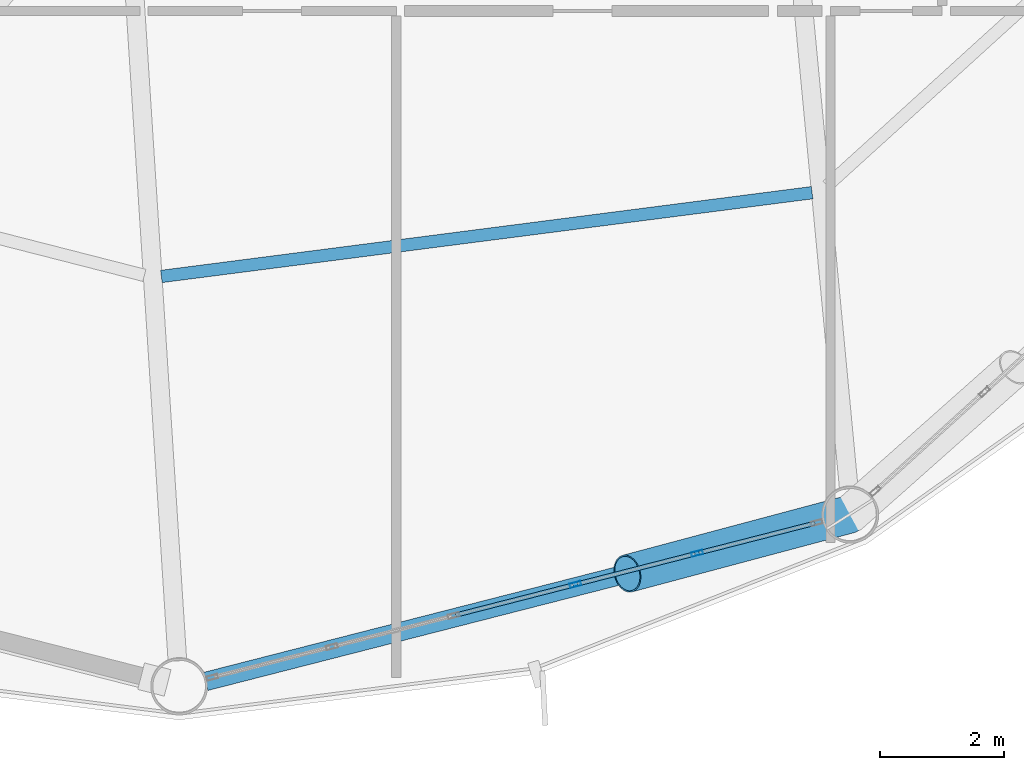
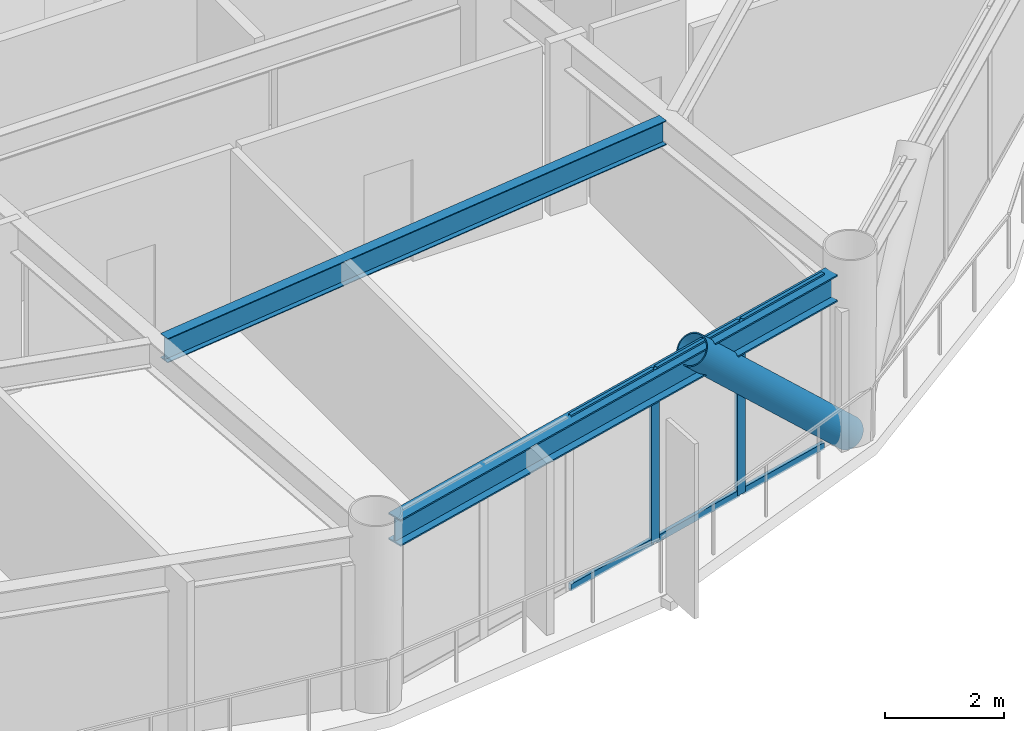
# One storey, part 6 of 25: 9 members, 2 beams, 1 element without a shape of its own.
"""IFC4 building model written with IfcOpenShell, lengths in metres."""

from ifc_helpers import new_model, si_unit, direction, frame, origin, origin_2d, place, context, subcontext, project, spatial, hollow_rectangle, hollow_circle, i_section, extrude, material, layer, layer_set, material_profile, profile_set, type_object, element, aggregate, save


model = new_model("IFC4")

# Units and contexts
model_context = context("Model", 3, precision=1e-05, world=origin(), true_north=direction((0.0, 1.0)))
body_context = subcontext(model_context, "Body", "Model", "MODEL_VIEW")
ifc_project = project(units=[si_unit("LENGTHUNIT", "METRE"), si_unit("AREAUNIT", "SQUARE_METRE"), si_unit("VOLUMEUNIT", "CUBIC_METRE"), si_unit("PLANEANGLEUNIT", "RADIAN"), si_unit("MASSUNIT", "GRAM", prefix="KILO")], contexts=[model_context])

# Site, building, storey
site_placement = place(None, origin())
site = spatial("IfcSite", under=ifc_project, at=site_placement, CompositionType="ELEMENT")
building_placement = place(site_placement, origin())
building = spatial("IfcBuilding", under=site, at=building_placement, Name="Varnakorn Sky Granary", CompositionType="ELEMENT")
storey_placement = place(building_placement, frame((0.0, 0.0, 74.39990234375)))
storey = spatial("IfcBuildingStorey", under=building, at=storey_placement, Name="L18", CompositionType="ELEMENT", Elevation=74.39990234375)

# Beams
ifc_material_1 = material(Name="Steel S355JR", Category="steel")
ifc_material_profile_1 = material_profile(ifc_material_1, i_section(OverallWidth=0.199951171875, OverallDepth=0.5, WebThickness=0.01025390625, FlangeThickness=0.01611328125, at=origin_2d()), Name="IPE 500")
ifc_profile_set_1 = profile_set([ifc_material_profile_1], Name="Steel S355JR")
beam_type_1 = type_object("IfcBeamType", Name="BM-SEC-Z1", PredefinedType="BEAM", material=ifc_profile_set_1)
beam_1_placement = place(storey_placement, frame((-1.786865234375, -13.1806640625, 3.300048828125), z_axis=(0.991817790837, 0.127661543858, 0.0), x_axis=(-0.127661543858, 0.991817790837, 0.0)))
element("IfcBeam", 1, at=beam_1_placement, inside=storey, type_object=beam_type_1, Name="Secondary Floor Chord Beam MSB10 L18", PredefinedType="BEAM", context=body_context, shape_type="SweptSolid", body=[
    extrude(i_section(OverallWidth=0.199951171875, OverallDepth=0.5, WebThickness=0.01025390625, FlangeThickness=0.01611328125, at=origin_2d()), origin(), (0.0, 0.0, 1.0), 10.577392578125),
])
ifc_material_profile_2 = material_profile(ifc_material_1, i_section(OverallWidth=0.300048828125, OverallDepth=0.550048828125, WebThickness=0.014892578125, FlangeThickness=0.029052734375, at=origin_2d()), Name="HE 550 B")
ifc_profile_set_2 = profile_set([ifc_material_profile_2], Name="Steel S355JR")
beam_type_2 = type_object("IfcBeamType", Name="BM-SPD-Z1", PredefinedType="SPANDREL", material=ifc_profile_set_2)
beam_2_placement = place(storey_placement, frame((-1.07177734375, -19.70947265625, 3.275146484375), z_axis=(0.96880812905, 0.247812043869, 0.0), x_axis=(-0.247812043869, 0.96880812905, 0.0)))
element("IfcBeam", 2, at=beam_2_placement, inside=storey, type_object=beam_type_2, Name="Perimeter Spandrel Ring Beam RB10 L18", PredefinedType="SPANDREL", context=body_context, shape_type="SweptSolid", body=[
    extrude(i_section(OverallWidth=0.300048828125, OverallDepth=0.550048828125, WebThickness=0.014892578125, FlangeThickness=0.029052734375, at=origin_2d()), origin(), (0.0, 0.0, 1.0), 10.302978515625),
])

# Curtain wall, members
ifc_material_2 = material(Name="Anodised Bronze Aluminium Alloy 6063-T6", Category="aluminium")
ifc_layer = layer(ifc_material_2, 0.18994140625, Name="Anodised Bronze Aluminium Alloy 6063-T6")
ifc_layer_set = layer_set([ifc_layer], Name="Anodised Bronze Aluminium Alloy 6063-T6")
curtain_wall_type = type_object("IfcCurtainWallType", Name="CW-FRM-1", PredefinedType="USERDEFINED", material=ifc_layer_set)
curtain_wall_placement = place(storey_placement, origin())
curtain_wall = element("IfcCurtainWall", 3, at=curtain_wall_placement, inside=storey, type_object=curtain_wall_type, Name="Unitised Curtain Wall CW3 CW-L18-B10", ObjectType="CURTAIN WALL", PredefinedType="USERDEFINED")
ifc_material_profile_3 = material_profile(ifc_material_2, hollow_rectangle(XDim=0.070068359375, YDim=0.18505859375, WallThickness=0.00390625, at=origin_2d()), Name="ALU MULL 70x185")
ifc_profile_set_3 = profile_set([ifc_material_profile_3], Name="Anodised Bronze Aluminium Alloy 6063-T6")
member_type_1 = type_object("IfcMemberType", Name="CW-FRM-1-MULL", PredefinedType="MULLION", material=ifc_profile_set_3)
member_1_placement = place(storey_placement, frame((6.850341796875, -17.644287109375, 0.0), z_axis=(0.0, 0.0, 1.0), x_axis=(0.247900922341, -0.968785390426, 0.0)))
member_1 = element("IfcMember", 4, at=member_1_placement, type_object=member_type_1, Name="CW3 mullion 2", PredefinedType="MULLION", context=body_context, shape_type="SweptSolid", body=[
    extrude(hollow_rectangle(XDim=0.070068359375, YDim=0.18505859375, WallThickness=0.00390625, at=origin_2d()), origin(), (0.0, 0.0, 1.0), 3.550048828125),
])
member_2_placement = place(storey_placement, frame((4.887939453125, -18.146484375, 0.0), z_axis=(0.0, 0.0, 1.0), x_axis=(0.247900922341, -0.968785390426, 0.0)))
member_2 = element("IfcMember", 5, at=member_2_placement, type_object=member_type_1, Name="CW3 mullion 3", PredefinedType="MULLION", context=body_context, shape_type="SweptSolid", body=[
    extrude(hollow_rectangle(XDim=0.070068359375, YDim=0.18505859375, WallThickness=0.00390625, at=origin_2d()), origin(), (0.0, 0.0, 1.0), 3.550048828125),
])
ifc_material_profile_4 = material_profile(ifc_material_2, hollow_rectangle(XDim=0.070068359375, YDim=0.139892578125, WallThickness=0.00341796875, at=origin_2d()), Name="ALU TRAN 70x140")
ifc_profile_set_4 = profile_set([ifc_material_profile_4], Name="Anodised Bronze Aluminium Alloy 6063-T6")
member_type_2 = type_object("IfcMemberType", Name="CW-FRM-1-TRAN", PredefinedType="USERDEFINED", material=ifc_profile_set_4)
member_3_placement = place(storey_placement, frame((8.744873046875, -17.159423828125, 0.03515625), z_axis=(-0.968789216601, -0.247885969344, 0.0), x_axis=(0.247885969344, -0.968789216601, 0.0)))
member_3 = element("IfcMember", 6, at=member_3_placement, type_object=member_type_2, Name="CW3 transom 1.1", ObjectType="TRANSOM", PredefinedType="USERDEFINED", context=body_context, shape_type="SweptSolid", body=[
    extrude(hollow_rectangle(XDim=0.070068359375, YDim=0.139892578125, WallThickness=0.00341796875, at=origin_2d()), origin(), (0.0, 0.0, 1.0), 1.920654296875),
])
member_4_placement = place(storey_placement, frame((8.744873046875, -17.159423828125, 3.51513671875), z_axis=(-0.968789216601, -0.247885969344, 0.0), x_axis=(0.247885969344, -0.968789216601, 0.0)))
member_4 = element("IfcMember", 7, at=member_4_placement, type_object=member_type_2, Name="CW3 transom 1.2", ObjectType="TRANSOM", PredefinedType="USERDEFINED", context=body_context, shape_type="SweptSolid", body=[
    extrude(hollow_rectangle(XDim=0.070068359375, YDim=0.139892578125, WallThickness=0.00341796875, at=origin_2d()), origin(), (0.0, 0.0, 1.0), 1.920654296875),
])
member_5_placement = place(storey_placement, frame((6.81640625, -17.65283203125, 0.03515625), z_axis=(-0.968776209563, -0.247936797963, 0.0), x_axis=(0.247936797963, -0.968776209563, 0.0)))
member_5 = element("IfcMember", 8, at=member_5_placement, type_object=member_type_2, Name="CW3 transom 2.1", ObjectType="TRANSOM", PredefinedType="USERDEFINED", context=body_context, shape_type="SweptSolid", body=[
    extrude(hollow_rectangle(XDim=0.070068359375, YDim=0.139892578125, WallThickness=0.00341796875, at=origin_2d()), origin(), (0.0, 0.0, 1.0), 1.95556640625),
])
member_6_placement = place(storey_placement, frame((6.81640625, -17.65283203125, 3.51513671875), z_axis=(-0.968776209563, -0.247936797963, 0.0), x_axis=(0.247936797963, -0.968776209563, 0.0)))
member_6 = element("IfcMember", 9, at=member_6_placement, type_object=member_type_2, Name="CW3 transom 2.2", ObjectType="TRANSOM", PredefinedType="USERDEFINED", context=body_context, shape_type="SweptSolid", body=[
    extrude(hollow_rectangle(XDim=0.070068359375, YDim=0.139892578125, WallThickness=0.00341796875, at=origin_2d()), origin(), (0.0, 0.0, 1.0), 1.95556640625),
])
member_7_placement = place(storey_placement, frame((4.85400390625, -18.155029296875, 0.03515625), z_axis=(-0.968776209563, -0.247936797963, 0.0), x_axis=(0.247936797963, -0.968776209563, 0.0)))
member_7 = element("IfcMember", 10, at=member_7_placement, type_object=member_type_2, Name="CW3 transom 3.1", ObjectType="TRANSOM", PredefinedType="USERDEFINED", context=body_context, shape_type="SweptSolid", body=[
    extrude(hollow_rectangle(XDim=0.070068359375, YDim=0.139892578125, WallThickness=0.00341796875, at=origin_2d()), origin(), (0.0, 0.0, 1.0), 1.95556640625),
])
member_8_placement = place(storey_placement, frame((4.85400390625, -18.155029296875, 3.51513671875), z_axis=(-0.968776209563, -0.247936797963, 0.0), x_axis=(0.247936797963, -0.968776209563, 0.0)))
member_8 = element("IfcMember", 11, at=member_8_placement, type_object=member_type_2, Name="CW3 transom 3.2", ObjectType="TRANSOM", PredefinedType="USERDEFINED", context=body_context, shape_type="SweptSolid", body=[
    extrude(hollow_rectangle(XDim=0.070068359375, YDim=0.139892578125, WallThickness=0.00341796875, at=origin_2d()), origin(), (0.0, 0.0, 1.0), 1.95556640625),
])
aggregate(curtain_wall, [member_1, member_2, member_3, member_4, member_5, member_6, member_7, member_8])

# Member
ifc_material_3 = material(Name="Steel S460M", Category="steel")
ifc_material_profile_5 = material_profile(ifc_material_3, hollow_circle(Radius=0.304931640625, WallThickness=0.022216796875, at=origin_2d()), Name="CHS 610x22")
ifc_profile_set_5 = profile_set([ifc_material_profile_5], Name="Steel S460M")
member_type_3 = type_object("IfcMemberType", Name="MB-DIAG-T1", PredefinedType="BRACE", material=ifc_profile_set_5)
member_9_placement = place(storey_placement, frame((9.3134765625, -17.013916015625, 0.0), z_axis=(-0.698426209399, -0.186285006521, 0.691012826487), x_axis=(0.257711752729, -0.966221844353, 0.0)))
element("IfcMember", 12, at=member_9_placement, inside=storey, type_object=member_type_3, Name="Perimeter CHS Diagrid Brace DG10 L18", PredefinedType="BRACE", context=body_context, shape_type="SweptSolid", body=[
    extrude(hollow_circle(Radius=0.304931640625, WallThickness=0.022216796875, at=origin_2d()), origin(), (0.0, 0.0, 1.0), 5.137451171875),
])

save(model, "model.ifc")
